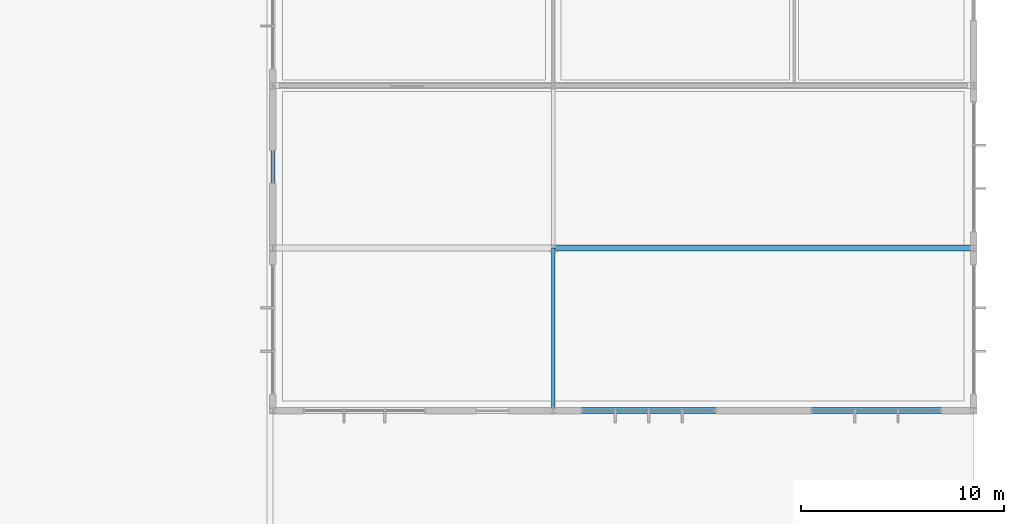
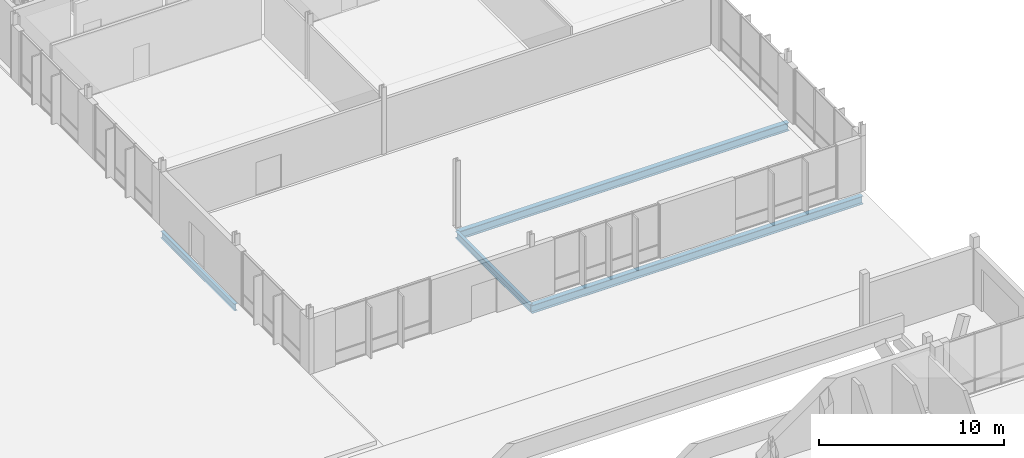
# One storey, part 153 of 233: 4 beams.
"""IFC4 building model written with IfcOpenShell, lengths in metres."""

import ifcopenshell
import ifcopenshell.guid

model = None  # the IFC model being written
_history = None  # IfcOwnerHistory: only IFC2X3 demands one
_inside = {}  # id of a spatial element -> (the spatial element, [elements in it])
_under = {}  # id of a project, library or spatial element -> (it, [spatial elements below it])
_declared = {}  # id of a project -> (the project, [libraries it declares])
_typed = {}  # id of a type object -> (the type object, [elements of that type])
_made_of = {}  # id of a material, layer set ... -> (it, [elements and type objects made of it])


def new_model(schema):
    """Start an empty IFC model of exactly this schema.

    Asked for "IFC4X3", IfcOpenShell would pick the latest addendum, in which some entities
    have other attributes; the version numbers below select the first issue.
    IFC2X3 requires an IfcOwnerHistory on every rooted entity: one is made here for all.
    """
    global model, _history
    if schema == "IFC4X3":
        model = ifcopenshell.file(schema_version=(4, 3, 0, 0))
    else:
        model = ifcopenshell.file(schema=schema)
    _inside.clear()
    _under.clear()
    _declared.clear()
    _typed.clear()
    _made_of.clear()
    _history = None
    if model.schema == "IFC2X3":
        org = make("IfcOrganization", Name="unknown")
        user = make(
            "IfcPersonAndOrganization",
            ThePerson=make("IfcPerson", FamilyName="unknown"),
            TheOrganization=org,
        )
        app = make(
            "IfcApplication",
            ApplicationDeveloper=org,
            Version="unknown",
            ApplicationFullName="unknown",
            ApplicationIdentifier="unknown",
        )
        _history = make(
            "IfcOwnerHistory",
            OwningUser=user,
            OwningApplication=app,
            ChangeAction="ADDED",
            CreationDate=0,
        )
    return model


def make(cls, **values):
    """One entity of the class cls with the attributes given. An attribute that is None is left unset."""
    return model.create_entity(
        cls, **{name: value for name, value in values.items() if value is not None}
    )


def rooted(cls, **values):
    """An entity with a GlobalId (a new one), such as an element, a storey or a relation."""
    return make(cls, GlobalId=ifcopenshell.guid.new(), OwnerHistory=_history, **values)


def si_unit(unit_type, name, prefix=None):
    """IfcSIUnit, for example si_unit("LENGTHUNIT", "METRE", prefix="MILLI")."""
    return make("IfcSIUnit", UnitType=unit_type, Prefix=prefix, Name=name)


def assignment(units):
    """IfcUnitAssignment: the units of a project."""
    return None if units is None else make("IfcUnitAssignment", Units=units)


def point(xyz):
    """IfcCartesianPoint."""
    return None if xyz is None else make("IfcCartesianPoint", Coordinates=xyz)


def direction(xyz):
    """IfcDirection."""
    return None if xyz is None else make("IfcDirection", DirectionRatios=xyz)


def frame(location, z_axis=None, x_axis=None):
    """IfcAxis2Placement3D, a coordinate frame: its origin and axes. An axis left out is left unset."""
    return make(
        "IfcAxis2Placement3D",
        Location=point(location),
        Axis=direction(z_axis),
        RefDirection=direction(x_axis),
    )


def frame_2d(location, x_axis=None):
    """IfcAxis2Placement2D, a coordinate frame in the plane: its origin and x axis."""
    return make(
        "IfcAxis2Placement2D", Location=point(location), RefDirection=direction(x_axis)
    )


def origin():
    """The frame at (0, 0, 0) with its axes left unset."""
    return frame((0.0, 0.0, 0.0))


def origin_2d():
    """The frame at (0, 0) in the plane with its x axis left unset."""
    return frame_2d((0.0, 0.0))


def place(relative_to, where):
    """IfcLocalPlacement: puts the frame where relative to a parent placement (None: the world)."""
    return make(
        "IfcLocalPlacement", PlacementRelTo=relative_to, RelativePlacement=where
    )


def context(
    kind, dimensions, precision=None, world=None, true_north=None, identifier=None
):
    """IfcGeometricRepresentationContext, for example the 3D "Model" context."""
    return make(
        "IfcGeometricRepresentationContext",
        ContextIdentifier=identifier,
        ContextType=kind,
        CoordinateSpaceDimension=dimensions,
        Precision=precision,
        WorldCoordinateSystem=world,
        TrueNorth=true_north,
    )


def subcontext(parent, identifier, kind, view, scale=None):
    """IfcGeometricRepresentationSubContext, for example "Body" below "Model"."""
    return make(
        "IfcGeometricRepresentationSubContext",
        ContextIdentifier=identifier,
        ContextType=kind,
        ParentContext=parent,
        TargetScale=scale,
        TargetView=view,
    )


def project(units=None, contexts=None):
    """IfcProject with its units and contexts."""
    return rooted(
        "IfcProject",
        Name="project",
        RepresentationContexts=contexts,
        UnitsInContext=assignment(units),
    )


def spatial(cls, under=None, at=None, **own):
    """A site, building, storey or space (cls), placed at a placement, below another one or the project."""
    s = rooted(cls, ObjectPlacement=at, **own)
    if under is not None:
        _under.setdefault(under.id(), (under, []))[1].append(s)
    return s


def profile(cls, at=None, kind="AREA", **sizes):
    """A parametric profile (cls). Its sizes go by their IFC names, for example OverallWidth=200.0."""
    return make(cls, ProfileType=kind, Position=at, **sizes)


def i_section(**sizes):
    """IfcIShapeProfileDef."""
    return profile("IfcIShapeProfileDef", **sizes)


def extrude(swept, where, along, depth):
    """IfcExtrudedAreaSolid: the profile swept, set in the frame where, extruded along a direction by depth."""
    return make(
        "IfcExtrudedAreaSolid",
        SweptArea=swept,
        Position=where,
        ExtrudedDirection=direction(along),
        Depth=depth,
    )


def shape(context_of_items, identifier, shape_type, items):
    """IfcShapeRepresentation: the items that make up one representation, for example the "Body"."""
    return make(
        "IfcShapeRepresentation",
        ContextOfItems=context_of_items,
        RepresentationIdentifier=identifier,
        RepresentationType=shape_type,
        Items=items,
    )


def material(Name=None, Category=None):
    """IfcMaterial."""
    return make("IfcMaterial", Name=Name, Category=Category)


def material_profile(
    of_material, cross_section, Name=None, Category=None, Priority=None
):
    """IfcMaterialProfile: a cross section and its material."""
    return make(
        "IfcMaterialProfile",
        Name=Name,
        Material=of_material,
        Profile=cross_section,
        Priority=Priority,
        Category=Category,
    )


def profile_set(profiles, Name=None, composite=None):
    """IfcMaterialProfileSet."""
    return make(
        "IfcMaterialProfileSet",
        Name=Name,
        MaterialProfiles=profiles,
        CompositeProfile=composite,
    )


def made_of(thing, what):
    """Note that an element or type object is made of a material, layer set ...; save() writes the relation."""
    if what is not None:
        _made_of.setdefault(what.id(), (what, []))[1].append(thing)
    return thing


def type_object(cls, material=None, **own):
    """A type object (cls), such as IfcWallType, which elements share."""
    return made_of(rooted(cls, **own), material)


def element(
    cls,
    number,
    at=None,
    inside=None,
    cuts=None,
    type_object=None,
    material=None,
    context=None,
    identifier="Body",
    shape_type=None,
    held_by="IfcProductDefinitionShape",
    body=None,
    shapes=None,
    **own,
):
    """One element of the class cls, such as IfcWall. Its Tag is "e" and its number.

    at: its placement. inside: the storey or other place that contains it. cuts: it is an
    opening in that element (IfcRelVoidsElement). A single representation is given by context,
    identifier, shape_type and body (its items); several are given by shapes. held_by: the class
    of the entity that holds the representations. save() writes the other relations.
    """
    e = rooted(cls, Tag="e%d" % number, ObjectPlacement=at, **own)
    if body is not None:
        shapes = [shape(context, identifier, shape_type, body)]
    if shapes is not None:
        e.Representation = make(held_by, Representations=shapes)
    if inside is not None:
        _inside.setdefault(inside.id(), (inside, []))[1].append(e)
    if cuts is not None:
        rooted(
            "IfcRelVoidsElement", RelatingBuildingElement=cuts, RelatedOpeningElement=e
        )
    if type_object is not None:
        _typed.setdefault(type_object.id(), (type_object, []))[1].append(e)
    return made_of(e, material)


def aggregate(whole, parts):
    """IfcRelAggregates: a whole, such as a stair, and the parts it consists of."""
    return rooted("IfcRelAggregates", RelatingObject=whole, RelatedObjects=parts)


def save(model, path):
    """Write the relations noted so far, then the file.

    IfcRelAggregates (storeys below a building ...), IfcRelContainedInSpatialStructure (elements
    in a storey), IfcRelDefinesByType, IfcRelAssociatesMaterial and IfcRelDeclares: one each for
    every whole, place, type object, material and project.
    """
    for whole, parts in _under.values():
        aggregate(whole, parts)
    for where, things in _inside.values():
        rooted(
            "IfcRelContainedInSpatialStructure",
            RelatedElements=things,
            RelatingStructure=where,
        )
    for kind, things in _typed.values():
        rooted("IfcRelDefinesByType", RelatedObjects=things, RelatingType=kind)
    for what, things in _made_of.values():
        rooted("IfcRelAssociatesMaterial", RelatedObjects=things, RelatingMaterial=what)
    for by, libraries in _declared.values():
        rooted("IfcRelDeclares", RelatingContext=by, RelatedDefinitions=libraries)
    model.write(path)


model = new_model("IFC4")

# Units and contexts
model_context = context("Model", 3, precision=1e-05, world=origin(), true_north=direction((0.0, 1.0)))
body_context = subcontext(model_context, "Body", "Model", "MODEL_VIEW")
ifc_project = project(units=[si_unit("LENGTHUNIT", "METRE"), si_unit("AREAUNIT", "SQUARE_METRE"), si_unit("VOLUMEUNIT", "CUBIC_METRE"), si_unit("PLANEANGLEUNIT", "RADIAN"), si_unit("MASSUNIT", "GRAM", prefix="KILO")], contexts=[model_context])

# Site, building, storey
site_placement = place(None, origin())
site = spatial("IfcSite", under=ifc_project, at=site_placement, CompositionType="ELEMENT")
building_placement = place(site_placement, origin())
building = spatial("IfcBuilding", under=site, at=building_placement, Name="Zavelmont Quarter", CompositionType="ELEMENT")
storey_placement = place(building_placement, origin())
storey = spatial("IfcBuildingStorey", under=building, at=storey_placement, Name="L00", CompositionType="ELEMENT", Elevation=0.0)

# Beams
ifc_material = material(Name="Steel S355", Category="steel")
ifc_material_profile_1 = material_profile(ifc_material, i_section(OverallWidth=0.300048828125, OverallDepth=0.5400390625, WebThickness=0.012451171875, FlangeThickness=0.02392578125, at=origin_2d()), Name="HEA 550")
ifc_profile_set_1 = profile_set([ifc_material_profile_1], Name="Steel S355")
beam_type_1 = type_object("IfcBeamType", Name="BM11", PredefinedType="BEAM", material=ifc_profile_set_1)
for number, where, z_axis, x_axis, name in (
    (1, (147.300048828125, 38.0, -0.590087890625), (1.0, 0.0, 0.0), (0.0, 1.0, 0.0), "L00 beam BM11 22/G to 25/G"),
    (2, (147.300048828125, 46.0, -0.590087890625), (1.0, 0.0, 0.0), (0.0, 1.0, 0.0), "L00 beam BM11 22/H to 25/H"),
):
    element("IfcBeam", number, at=place(storey_placement, frame(where, z_axis=z_axis, x_axis=x_axis)), inside=storey, type_object=beam_type_1, Name=name, PredefinedType="BEAM", context=body_context, shape_type="SweptSolid", body=[
        extrude(i_section(OverallWidth=0.300048828125, OverallDepth=0.5400390625, WebThickness=0.012451171875, FlangeThickness=0.02392578125, at=origin_2d()), origin(), (0.0, 0.0, 1.0), 20.699951171875),
    ])
ifc_material_profile_2 = material_profile(ifc_material, i_section(OverallWidth=0.18994140625, OverallDepth=0.449951171875, WebThickness=0.009521484375, FlangeThickness=0.0146484375, at=origin_2d()), Name="IPE 450")
ifc_profile_set_2 = profile_set([ifc_material_profile_2], Name="Steel S355")
beam_type_2 = type_object("IfcBeamType", Name="BM12", PredefinedType="BEAM", material=ifc_profile_set_2)
for number, where, z_axis, x_axis, name in (
    (3, (133.5, 46.0, -0.544921875), (0.0, 1.0, 0.0), (-1.0, 0.0, 0.0), "L00 beam BM12 20/H to 20/J"),
    (4, (147.300048828125, 38.0, -0.544921875), (0.0, 1.0, 0.0), (-1.0, 0.0, 0.0), "L00 beam BM12 22/G to 22/H"),
):
    element("IfcBeam", number, at=place(storey_placement, frame(where, z_axis=z_axis, x_axis=x_axis)), inside=storey, type_object=beam_type_2, Name=name, PredefinedType="BEAM", context=body_context, shape_type="SweptSolid", body=[
        extrude(i_section(OverallWidth=0.18994140625, OverallDepth=0.449951171875, WebThickness=0.009521484375, FlangeThickness=0.0146484375, at=origin_2d()), origin(), (0.0, 0.0, 1.0), 8.0),
    ])

save(model, "model.ifc")
